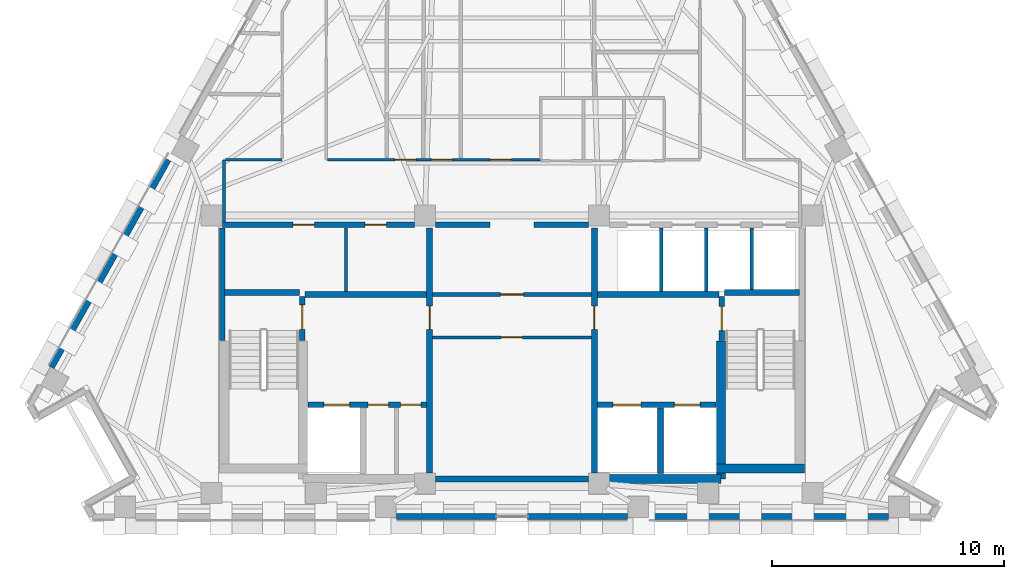
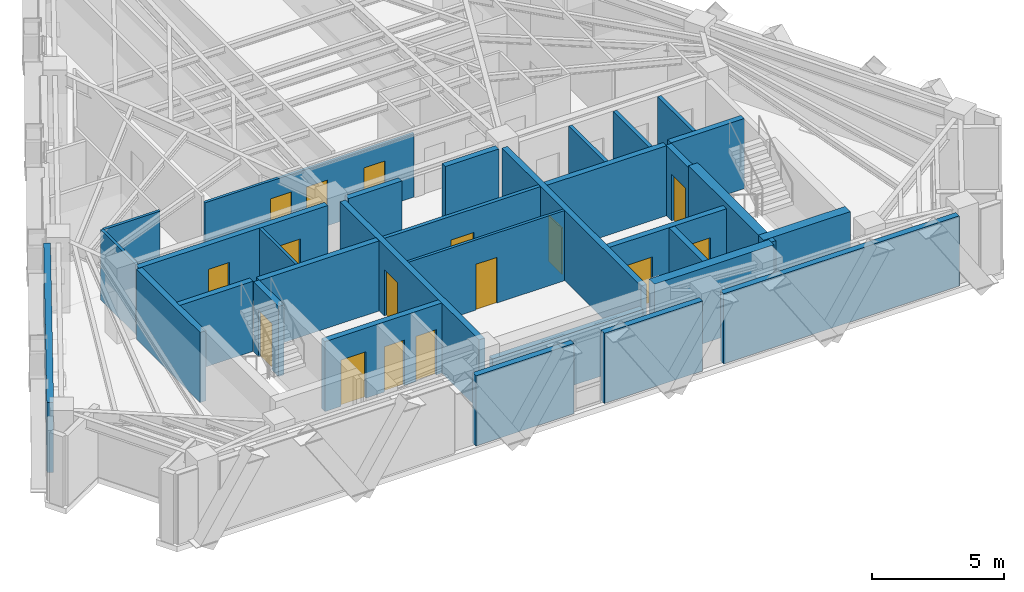
# One storey, part 7 of 12: 32 walls, 16 doors, 16 openings.
"""IFC4 building model written with IfcOpenShell, lengths in metres."""

from ifc_helpers import new_model, si_unit, direction, frame, frame_2d, origin, place, context, subcontext, project, spatial, rectangle, extrude, material, layer, layer_set, type_object, element, fill, save


model = new_model("IFC4")

# Units and contexts
model_context = context("Model", 3, precision=1e-05, world=origin(), true_north=direction((0.0, 1.0)))
body_context = subcontext(model_context, "Body", "Model", "MODEL_VIEW")
ifc_project = project(units=[si_unit("LENGTHUNIT", "METRE"), si_unit("AREAUNIT", "SQUARE_METRE"), si_unit("VOLUMEUNIT", "CUBIC_METRE"), si_unit("PLANEANGLEUNIT", "RADIAN"), si_unit("MASSUNIT", "GRAM", prefix="KILO")], contexts=[model_context])

# Site, building, storey
site_placement = place(None, origin())
site = spatial("IfcSite", under=ifc_project, at=site_placement, CompositionType="ELEMENT")
building_placement = place(site_placement, origin())
building = spatial("IfcBuilding", under=site, at=building_placement, Name="Quenlor Broadcast Tower", CompositionType="ELEMENT")
storey_placement = place(building_placement, frame((0.0, 0.0, 190.39990234375)))
storey = spatial("IfcBuildingStorey", under=building, at=storey_placement, Name="L52", CompositionType="ELEMENT", Elevation=190.39990234375)

# Walls
ifc_material_1 = material(Name="Concrete C50/60", Category="concrete")
ifc_layer_1 = layer(ifc_material_1, 0.39990234375)
ifc_layer_set_1 = layer_set([ifc_layer_1], Name="Core Concrete C50/60 Shear Wall 400")
wall_type_1 = type_object("IfcWallType", Name="Core Concrete C50/60 Shear Wall 400", PredefinedType="SHEAR", material=ifc_layer_set_1)
wall_1_placement = place(storey_placement, frame((3.75, -16.14990234375, 0.0), z_axis=(0.0, 0.0, 1.0), x_axis=(1.0, 0.0, 0.0)))
element("IfcWall", 1, at=wall_1_placement, inside=storey, type_object=wall_type_1, Name="L52 Core Shear Wall WS-E1", PredefinedType="SHEAR", context=body_context, shape_type="SweptSolid", body=[
    extrude(rectangle(XDim=5.25, YDim=0.39990234375, at=frame_2d((2.625, 0.0))), origin(), (0.0, 0.0, 1.0), 3.5),
])
wall_2_placement = place(storey_placement, frame((8.800048828125, -15.699951171875, 0.0), z_axis=(0.0, 0.0, 1.0), x_axis=(1.0, 0.0, 0.0)))
element("IfcWall", 2, at=wall_2_placement, inside=storey, type_object=wall_type_1, Name="L52 Core Shear Wall WS-E2", PredefinedType="SHEAR", context=body_context, shape_type="SweptSolid", body=[
    extrude(rectangle(XDim=3.800048828125, YDim=0.39990234375, at=frame_2d((1.89990234375, 0.0))), origin(), (0.0, 0.0, 1.0), 3.5),
])
wall_3_placement = place(storey_placement, frame((9.0, -16.14990234375, 0.0), z_axis=(0.0, 0.0, 1.0), x_axis=(0.0, 1.0, 0.0)))
element("IfcWall", 3, at=wall_3_placement, inside=storey, type_object=wall_type_1, Name="L52 Core Shear Wall WI-E", PredefinedType="SHEAR", context=body_context, shape_type="SweptSolid", body=[
    extrude(rectangle(XDim=5.949951171875, YDim=0.39990234375, at=frame_2d((2.97509765625, 0.0))), origin(), (0.0, 0.0, 1.0), 3.5),
])

# Wall, opening, door
ifc_material_2 = material(Name="Concrete C40/50", Category="concrete")
ifc_layer_2 = layer(ifc_material_2, 0.25)
ifc_layer_set_2 = layer_set([ifc_layer_2], Name="Fire Rated Concrete C40/50 Core Wall 250")
wall_type_2 = type_object("IfcWallType", Name="Fire Rated Concrete C40/50 Core Wall 250", PredefinedType="PARTITIONING", material=ifc_layer_set_2)
wall_4_placement = place(storey_placement, frame((-9.0400390625, -10.179931640625, 0.0), z_axis=(0.0, 0.0, 1.0), x_axis=(0.0, 1.0, 0.0)))
wall_4 = element("IfcWall", 4, at=wall_4_placement, inside=storey, type_object=wall_type_2, Name="L52 Interior Wall CW-ST1-DR", PredefinedType="PARTITIONING", context=body_context, shape_type="SweptSolid", body=[
    extrude(rectangle(XDim=1.89990234375, YDim=0.25, at=frame_2d((0.949951171875, 0.0))), origin(), (0.0, 0.0, 1.0), 3.25),
])
opening_1_placement = place(wall_4_placement, frame((0.47998046875, 0.0, 0.0)))
opening_1 = element("IfcOpeningElement", 5, at=opening_1_placement, cuts=wall_4, Name="Opening FD-1", PredefinedType="OPENING", context=body_context, shape_type="SweptSolid", body=[
    extrude(rectangle(XDim=1.050048828125, YDim=2.14990234375, at=frame_2d((0.52490234375, 1.074951171875))), frame((0.0, 0.135009765625, 0.0), z_axis=(0.0, -1.0, 0.0), x_axis=(1.0, 0.0, 0.0)), (0.0, 0.0, 1.0), 0.27001953125),
])
ifc_material_3 = material(Name="Fire Rated Steel Door Leaf", Category="steel")
door_type_1 = type_object("IfcDoorType", Name="Fire Isolated Stair Door 1050x2150", OperationType="NOTDEFINED", PredefinedType="DOOR", material=ifc_material_3)
door_1_placement = place(opening_1_placement, origin())
door_1 = element("IfcDoor", 6, at=door_1_placement, inside=storey, type_object=door_type_1, Name="L52 Door DR-ST1", OperationType="SINGLE_SWING_LEFT", OverallHeight=2.14990234375, OverallWidth=1.050048828125, PredefinedType="DOOR", context=body_context, shape_type="SweptSolid", body=[
    extrude(rectangle(XDim=1.050048828125, YDim=2.14990234375, at=frame_2d((0.52490234375, 1.074951171875))), frame((0.0, 0.02490234375, 0.0), z_axis=(0.0, -1.0, 0.0), x_axis=(1.0, 0.0, 0.0)), (0.0, 0.0, 1.0), 0.050048828125),
])
fill(opening_1, door_1)

wall_5_placement = place(storey_placement, frame((9.0400390625, -10.179931640625, 0.0), z_axis=(0.0, 0.0, 1.0), x_axis=(0.0, 1.0, 0.0)))
wall_5 = element("IfcWall", 7, at=wall_5_placement, inside=storey, type_object=wall_type_2, Name="L52 Interior Wall CW-ST2-DR", PredefinedType="PARTITIONING", context=body_context, shape_type="SweptSolid", body=[
    extrude(rectangle(XDim=1.89990234375, YDim=0.25, at=frame_2d((0.949951171875, 0.0))), origin(), (0.0, 0.0, 1.0), 3.25),
])
opening_2_placement = place(wall_5_placement, frame((0.419921875, 0.0, 0.0)))
opening_2 = element("IfcOpeningElement", 8, at=opening_2_placement, cuts=wall_5, Name="Opening FD-1", PredefinedType="OPENING", context=body_context, shape_type="SweptSolid", body=[
    extrude(rectangle(XDim=1.050048828125, YDim=2.14990234375, at=frame_2d((0.52490234375, 1.074951171875))), frame((0.0, 0.135009765625, 0.0), z_axis=(0.0, -1.0, 0.0), x_axis=(1.0, 0.0, 0.0)), (0.0, 0.0, 1.0), 0.27001953125),
])
door_2_placement = place(opening_2_placement, origin())
door_2 = element("IfcDoor", 9, at=door_2_placement, inside=storey, type_object=door_type_1, Name="L52 Door DR-ST2", OperationType="SINGLE_SWING_RIGHT", OverallHeight=2.14990234375, OverallWidth=1.050048828125, PredefinedType="DOOR", context=body_context, shape_type="SweptSolid", body=[
    extrude(rectangle(XDim=1.050048828125, YDim=2.14990234375, at=frame_2d((0.52490234375, 1.074951171875))), frame((0.0, 0.02490234375, 0.0), z_axis=(0.0, -1.0, 0.0), x_axis=(1.0, 0.0, 0.0)), (0.0, 0.0, 1.0), 0.050048828125),
])
fill(opening_2, door_2)

# Walls
for number, where, z_axis, x_axis, name in (
    (10, (-12.3798828125, -8.1201171875, 0.0), (0.0, 0.0, 1.0), (1.0, 0.0, 0.0), "L52 Interior Wall CW-ST1-N"),
    (11, (9.159912109375, -8.1201171875, 0.0), (0.0, 0.0, 1.0), (1.0, 0.0, 0.0), "L52 Interior Wall CW-ST2-N"),
):
    element("IfcWall", number, at=place(storey_placement, frame(where, z_axis=z_axis, x_axis=x_axis)), inside=storey, type_object=wall_type_2, Name=name, PredefinedType="PARTITIONING", context=body_context, shape_type="SweptSolid", body=[
        extrude(rectangle(XDim=3.219970703125, YDim=0.25, at=frame_2d((1.60986328125, 0.0))), origin(), (0.0, 0.0, 1.0), 3.25),
    ])
wall_6_placement = place(storey_placement, frame((-12.47998046875, -10.179931640625, 0.0), z_axis=(0.0, 0.0, 1.0), x_axis=(0.0, 1.0, 0.0)))
element("IfcWall", 12, at=wall_6_placement, inside=storey, type_object=wall_type_2, Name="L52 Interior Wall CW-ST1-W2", PredefinedType="PARTITIONING", context=body_context, shape_type="SweptSolid", body=[
    extrude(rectangle(XDim=4.83984375, YDim=0.25, at=frame_2d((2.419921875, 0.0))), origin(), (0.0, 0.0, 1.0), 3.25),
])

# Wall, openings, doors
wall_7_placement = place(storey_placement, frame((-8.798095703125, -12.949951171875, 0.0), z_axis=(0.0, 0.0, 1.0), x_axis=(1.0, 0.0, 0.0)))
wall_7 = element("IfcWall", 13, at=wall_7_placement, inside=storey, type_object=wall_type_2, Name="L52 Interior Wall CW-FFW-S", PredefinedType="PARTITIONING", context=body_context, shape_type="SweptSolid", body=[
    extrude(rectangle(XDim=5.1181640625, YDim=0.25, at=frame_2d((2.55908203125, 0.0))), origin(), (0.0, 0.0, 1.0), 3.25),
])
opening_3_placement = place(wall_7_placement, frame((0.697998046875, 0.0, 0.0)))
opening_3 = element("IfcOpeningElement", 14, at=opening_3_placement, cuts=wall_7, Name="Opening LD-FFL-1", PredefinedType="OPENING", context=body_context, shape_type="SweptSolid", body=[
    extrude(rectangle(XDim=1.10009765625, YDim=2.14990234375, at=frame_2d((0.550048828125, 1.074951171875))), frame((0.0, 0.135009765625, 0.0), z_axis=(0.0, -1.0, 0.0), x_axis=(1.0, 0.0, 0.0)), (0.0, 0.0, 1.0), 0.27001953125),
])
opening_4_placement = place(wall_7_placement, frame((2.597900390625, 0.0, 0.0)))
opening_4 = element("IfcOpeningElement", 15, at=opening_4_placement, cuts=wall_7, Name="Opening TD-1", PredefinedType="OPENING", context=body_context, shape_type="SweptSolid", body=[
    extrude(rectangle(XDim=0.8798828125, YDim=2.10009765625, at=frame_2d((0.43994140625, 1.050048828125))), frame((0.0, 0.135009765625, 0.0), z_axis=(0.0, -1.0, 0.0), x_axis=(1.0, 0.0, 0.0)), (0.0, 0.0, 1.0), 0.27001953125),
])
opening_5_placement = place(wall_7_placement, frame((3.998046875, 0.0, 0.0)))
opening_5 = element("IfcOpeningElement", 16, at=opening_5_placement, cuts=wall_7, Name="Opening TD-1", PredefinedType="OPENING", context=body_context, shape_type="SweptSolid", body=[
    extrude(rectangle(XDim=0.8798828125, YDim=2.10009765625, at=frame_2d((0.43994140625, 1.050048828125))), frame((0.0, 0.135009765625, 0.0), z_axis=(0.0, -1.0, 0.0), x_axis=(1.0, 0.0, 0.0)), (0.0, 0.0, 1.0), 0.27001953125),
])
ifc_material_4 = material(Name="Brushed Stainless Steel", Category="steel")
door_type_2 = type_object("IfcDoorType", Name="Emergency Lift Sliding Landing Door 1100x2150", OperationType="NOTDEFINED", PredefinedType="DOOR", material=ifc_material_4)
door_3_placement = place(opening_3_placement, origin())
door_3 = element("IfcDoor", 17, at=door_3_placement, inside=storey, type_object=door_type_2, Name="L52 Door LD-FFL-1", OperationType="SLIDING_TO_LEFT", OverallHeight=2.14990234375, OverallWidth=1.10009765625, PredefinedType="DOOR", context=body_context, shape_type="SweptSolid", body=[
    extrude(rectangle(XDim=1.10009765625, YDim=2.14990234375, at=frame_2d((0.550048828125, 1.074951171875))), frame((0.0, 0.02490234375, 0.0), z_axis=(0.0, -1.0, 0.0), x_axis=(1.0, 0.0, 0.0)), (0.0, 0.0, 1.0), 0.050048828125),
])
fill(opening_3, door_3)
ifc_material_5 = material(Name="Fire Rated Steel Access Panel", Category="steel")
door_type_3 = type_object("IfcDoorType", Name="Riser Shaft Rated Access Trapdoor 880x2100", OperationType="NOTDEFINED", PredefinedType="TRAPDOOR", material=ifc_material_5)
door_4_placement = place(opening_4_placement, origin())
door_4 = element("IfcDoor", 18, at=door_4_placement, inside=storey, type_object=door_type_3, Name="L52 Door DR-ELR", OperationType="SINGLE_SWING_LEFT", OverallHeight=2.10009765625, OverallWidth=0.8798828125, PredefinedType="TRAPDOOR", context=body_context, shape_type="SweptSolid", body=[
    extrude(rectangle(XDim=0.8798828125, YDim=2.10009765625, at=frame_2d((0.43994140625, 1.050048828125))), frame((0.0, 0.02490234375, 0.0), z_axis=(0.0, -1.0, 0.0), x_axis=(1.0, 0.0, 0.0)), (0.0, 0.0, 1.0), 0.050048828125),
])
fill(opening_4, door_4)
door_5_placement = place(opening_5_placement, origin())
door_5 = element("IfcDoor", 19, at=door_5_placement, inside=storey, type_object=door_type_3, Name="L52 Door DR-CMR", OperationType="SINGLE_SWING_RIGHT", OverallHeight=2.10009765625, OverallWidth=0.8798828125, PredefinedType="TRAPDOOR", context=body_context, shape_type="SweptSolid", body=[
    extrude(rectangle(XDim=0.8798828125, YDim=2.10009765625, at=frame_2d((0.43994140625, 1.050048828125))), frame((0.0, 0.02490234375, 0.0), z_axis=(0.0, -1.0, 0.0), x_axis=(1.0, 0.0, 0.0)), (0.0, 0.0, 1.0), 0.050048828125),
])
fill(opening_5, door_5)

wall_8_placement = place(storey_placement, frame((3.679931640625, -12.949951171875, 0.0), z_axis=(0.0, 0.0, 1.0), x_axis=(1.0, 0.0, 0.0)))
wall_8 = element("IfcWall", 20, at=wall_8_placement, inside=storey, type_object=wall_type_2, Name="L52 Interior Wall CW-FFE-S", PredefinedType="PARTITIONING", context=body_context, shape_type="SweptSolid", body=[
    extrude(rectangle(XDim=5.1181640625, YDim=0.25, at=frame_2d((2.55908203125, 0.0))), origin(), (0.0, 0.0, 1.0), 3.25),
])
opening_6_placement = place(wall_8_placement, frame((3.320068359375, 0.0, 0.0)))
opening_6 = element("IfcOpeningElement", 21, at=opening_6_placement, cuts=wall_8, Name="Opening LD-FFL-2", PredefinedType="OPENING", context=body_context, shape_type="SweptSolid", body=[
    extrude(rectangle(XDim=1.10009765625, YDim=2.14990234375, at=frame_2d((0.550048828125, 1.074951171875))), frame((0.0, 0.135009765625, 0.0), z_axis=(0.0, -1.0, 0.0), x_axis=(1.0, 0.0, 0.0)), (0.0, 0.0, 1.0), 0.27001953125),
])
opening_7_placement = place(wall_8_placement, frame((0.669921875, 0.0, 0.0)))
opening_7 = element("IfcOpeningElement", 22, at=opening_7_placement, cuts=wall_8, Name="Opening LD-SVL-1", PredefinedType="OPENING", context=body_context, shape_type="SweptSolid", body=[
    extrude(rectangle(XDim=1.199951171875, YDim=2.14990234375, at=frame_2d((0.60009765625, 1.074951171875))), frame((0.0, 0.135009765625, 0.0), z_axis=(0.0, -1.0, 0.0), x_axis=(1.0, 0.0, 0.0)), (0.0, 0.0, 1.0), 0.27001953125),
])
door_6_placement = place(opening_6_placement, origin())
door_6 = element("IfcDoor", 23, at=door_6_placement, inside=storey, type_object=door_type_2, Name="L52 Door LD-FFL-2", OperationType="SLIDING_TO_RIGHT", OverallHeight=2.14990234375, OverallWidth=1.10009765625, PredefinedType="DOOR", context=body_context, shape_type="SweptSolid", body=[
    extrude(rectangle(XDim=1.10009765625, YDim=2.14990234375, at=frame_2d((0.550048828125, 1.074951171875))), frame((0.0, 0.02490234375, 0.0), z_axis=(0.0, -1.0, 0.0), x_axis=(1.0, 0.0, 0.0)), (0.0, 0.0, 1.0), 0.050048828125),
])
fill(opening_6, door_6)
ifc_material_6 = material(Name="Brushed Stainless Steel", Category="steel")
door_type_4 = type_object("IfcDoorType", Name="Goods Lift Sliding Landing Door 1200x2150", OperationType="NOTDEFINED", PredefinedType="DOOR", material=ifc_material_6)
door_7_placement = place(opening_7_placement, origin())
door_7 = element("IfcDoor", 24, at=door_7_placement, inside=storey, type_object=door_type_4, Name="L52 Door LD-SVL-1", OperationType="SLIDING_TO_LEFT", OverallHeight=2.14990234375, OverallWidth=1.199951171875, PredefinedType="DOOR", context=body_context, shape_type="SweptSolid", body=[
    extrude(rectangle(XDim=1.199951171875, YDim=2.14990234375, at=frame_2d((0.60009765625, 1.074951171875))), frame((0.0, 0.02490234375, 0.0), z_axis=(0.0, -1.0, 0.0), x_axis=(1.0, 0.0, 0.0)), (0.0, 0.0, 1.0), 0.050048828125),
])
fill(opening_7, door_7)

# Walls
wall_9_placement = place(storey_placement, frame((6.39990234375, -15.919921875, 0.0), z_axis=(0.0, 0.0, 1.0), x_axis=(0.0, 1.0, 0.0)))
element("IfcWall", 25, at=wall_9_placement, inside=storey, type_object=wall_type_2, Name="L52 Interior Wall CW-SV1-E", PredefinedType="PARTITIONING", context=body_context, shape_type="SweptSolid", body=[
    extrude(rectangle(XDim=2.829833984375, YDim=0.25, at=frame_2d((1.4150390625, 0.0))), origin(), (0.0, 0.0, 1.0), 3.25),
])
for number, where, z_axis, x_axis, name in (
    (26, (-8.919921875, -8.199951171875, 0.0), (0.0, 0.0, 1.0), (1.0, 0.0, 0.0), "L52 Interior Wall CW-FFW-N"),
    (27, (3.679931640625, -8.199951171875, 0.0), (0.0, 0.0, 1.0), (1.0, 0.0, 0.0), "L52 Interior Wall CW-FFE-N"),
):
    element("IfcWall", number, at=place(storey_placement, frame(where, z_axis=z_axis, x_axis=x_axis)), inside=storey, type_object=wall_type_2, Name=name, PredefinedType="PARTITIONING", context=body_context, shape_type="SweptSolid", body=[
        extrude(rectangle(XDim=5.239990234375, YDim=0.25, at=frame_2d((2.6201171875, 0.0))), origin(), (0.0, 0.0, 1.0), 3.25),
    ])

# Wall, opening, door
wall_10_placement = place(storey_placement, frame((-3.550048828125, -15.89794921875, 0.0), z_axis=(0.0, 0.0, 1.0), x_axis=(0.0, 1.0, 0.0)))
wall_10 = element("IfcWall", 28, at=wall_10_placement, inside=storey, type_object=wall_type_2, Name="L52 Interior Wall CW-FFW-E", PredefinedType="PARTITIONING", context=body_context, shape_type="SweptSolid", body=[
    extrude(rectangle(XDim=10.557861328125, YDim=0.25, at=frame_2d((5.27880859375, 0.0))), origin(), (0.0, 0.0, 1.0), 3.25),
])
opening_8_placement = place(wall_10_placement, frame((6.197998046875, 0.0, 0.0)))
opening_8 = element("IfcOpeningElement", 29, at=opening_8_placement, cuts=wall_10, Name="Opening FD-2", PredefinedType="OPENING", context=body_context, shape_type="SweptSolid", body=[
    extrude(rectangle(XDim=1.0, YDim=2.14990234375, at=frame_2d((0.5, 1.074951171875))), frame((0.0, 0.135009765625, 0.0), z_axis=(0.0, -1.0, 0.0), x_axis=(1.0, 0.0, 0.0)), (0.0, 0.0, 1.0), 0.27001953125),
])
ifc_material_7 = material(Name="Fire Rated Glazed Steel Door", Category="steel")
door_type_5 = type_object("IfcDoorType", Name="Firefighting Lobby Smoke Door 1000x2150", OperationType="NOTDEFINED", PredefinedType="DOOR", material=ifc_material_7)
door_8_placement = place(opening_8_placement, origin())
door_8 = element("IfcDoor", 30, at=door_8_placement, inside=storey, type_object=door_type_5, Name="L52 Door DR-FFLW", OperationType="SINGLE_SWING_RIGHT", OverallHeight=2.14990234375, OverallWidth=1.0, PredefinedType="DOOR", context=body_context, shape_type="SweptSolid", body=[
    extrude(rectangle(XDim=1.0, YDim=2.14990234375, at=frame_2d((0.5, 1.074951171875))), frame((0.0, 0.02490234375, 0.0), z_axis=(0.0, -1.0, 0.0), x_axis=(1.0, 0.0, 0.0)), (0.0, 0.0, 1.0), 0.050048828125),
])
fill(opening_8, door_8)

wall_11_placement = place(storey_placement, frame((3.550048828125, -15.89794921875, 0.0), z_axis=(0.0, 0.0, 1.0), x_axis=(0.0, 1.0, 0.0)))
wall_11 = element("IfcWall", 31, at=wall_11_placement, inside=storey, type_object=wall_type_2, Name="L52 Interior Wall CW-FFE-W", PredefinedType="PARTITIONING", context=body_context, shape_type="SweptSolid", body=[
    extrude(rectangle(XDim=10.557861328125, YDim=0.25, at=frame_2d((5.27880859375, 0.0))), origin(), (0.0, 0.0, 1.0), 3.25),
])
opening_9_placement = place(wall_11_placement, frame((6.197998046875, 0.0, 0.0)))
opening_9 = element("IfcOpeningElement", 32, at=opening_9_placement, cuts=wall_11, Name="Opening FD-2", PredefinedType="OPENING", context=body_context, shape_type="SweptSolid", body=[
    extrude(rectangle(XDim=1.0, YDim=2.14990234375, at=frame_2d((0.5, 1.074951171875))), frame((0.0, 0.135009765625, 0.0), z_axis=(0.0, -1.0, 0.0), x_axis=(1.0, 0.0, 0.0)), (0.0, 0.0, 1.0), 0.27001953125),
])
door_9_placement = place(opening_9_placement, origin())
door_9 = element("IfcDoor", 33, at=door_9_placement, inside=storey, type_object=door_type_5, Name="L52 Door DR-FFLE", OperationType="SINGLE_SWING_LEFT", OverallHeight=2.14990234375, OverallWidth=1.0, PredefinedType="DOOR", context=body_context, shape_type="SweptSolid", body=[
    extrude(rectangle(XDim=1.0, YDim=2.14990234375, at=frame_2d((0.5, 1.074951171875))), frame((0.0, 0.02490234375, 0.0), z_axis=(0.0, -1.0, 0.0), x_axis=(1.0, 0.0, 0.0)), (0.0, 0.0, 1.0), 0.050048828125),
])
fill(opening_9, door_9)

# Wall, openings, doors
wall_12_placement = place(storey_placement, frame((-12.47998046875, -5.199951171875, 0.0), z_axis=(0.0, 0.0, 1.0), x_axis=(1.0, 0.0, 0.0)))
wall_12 = element("IfcWall", 34, at=wall_12_placement, inside=storey, type_object=wall_type_2, Name="L52 Interior Wall CW-N-W", PredefinedType="PARTITIONING", context=body_context, shape_type="SweptSolid", body=[
    extrude(rectangle(XDim=8.278076171875, YDim=0.25, at=frame_2d((4.13916015625, 0.0))), origin(), (0.0, 0.0, 1.0), 3.25),
])
opening_10_placement = place(wall_12_placement, frame((3.050048828125, 0.0, 0.0)))
opening_10 = element("IfcOpeningElement", 35, at=opening_10_placement, cuts=wall_12, Name="Opening ID-1", PredefinedType="OPENING", context=body_context, shape_type="SweptSolid", body=[
    extrude(rectangle(XDim=0.919921875, YDim=2.1201171875, at=frame_2d((0.4599609375, 1.06005859375))), frame((0.0, 0.135009765625, 0.0), z_axis=(0.0, -1.0, 0.0), x_axis=(1.0, 0.0, 0.0)), (0.0, 0.0, 1.0), 0.27001953125),
])
opening_11_placement = place(wall_12_placement, frame((6.14990234375, 0.0, 0.0)))
opening_11 = element("IfcOpeningElement", 36, at=opening_11_placement, cuts=wall_12, Name="Opening ID-1", PredefinedType="OPENING", context=body_context, shape_type="SweptSolid", body=[
    extrude(rectangle(XDim=0.919921875, YDim=2.1201171875, at=frame_2d((0.4599609375, 1.06005859375))), frame((0.0, 0.135009765625, 0.0), z_axis=(0.0, -1.0, 0.0), x_axis=(1.0, 0.0, 0.0)), (0.0, 0.0, 1.0), 0.27001953125),
])
ifc_material_8 = material(Name="Solid Core Timber Oak", Category="wood")
door_type_6 = type_object("IfcDoorType", Name="Single Leaf Timber Office Door 920x2120", OperationType="NOTDEFINED", PredefinedType="DOOR", material=ifc_material_8)
door_10_placement = place(opening_10_placement, origin())
door_10 = element("IfcDoor", 37, at=door_10_placement, inside=storey, type_object=door_type_6, Name="L52 Door DR-RCL1", OperationType="SINGLE_SWING_LEFT", OverallHeight=2.1201171875, OverallWidth=0.919921875, PredefinedType="DOOR", context=body_context, shape_type="SweptSolid", body=[
    extrude(rectangle(XDim=0.919921875, YDim=2.1201171875, at=frame_2d((0.4599609375, 1.06005859375))), frame((0.0, 0.02490234375, 0.0), z_axis=(0.0, -1.0, 0.0), x_axis=(1.0, 0.0, 0.0)), (0.0, 0.0, 1.0), 0.050048828125),
])
fill(opening_10, door_10)
door_11_placement = place(opening_11_placement, origin())
door_11 = element("IfcDoor", 38, at=door_11_placement, inside=storey, type_object=door_type_6, Name="L52 Door DR-RCL2", OperationType="SINGLE_SWING_RIGHT", OverallHeight=2.1201171875, OverallWidth=0.919921875, PredefinedType="DOOR", context=body_context, shape_type="SweptSolid", body=[
    extrude(rectangle(XDim=0.919921875, YDim=2.1201171875, at=frame_2d((0.4599609375, 1.06005859375))), frame((0.0, 0.02490234375, 0.0), z_axis=(0.0, -1.0, 0.0), x_axis=(1.0, 0.0, 0.0)), (0.0, 0.0, 1.0), 0.050048828125),
])
fill(opening_11, door_11)

# Walls
for number, where, z_axis, x_axis, name in (
    (39, (-3.298095703125, -5.199951171875, 0.0), (0.0, 0.0, 1.0), (1.0, 0.0, 0.0), "L52 Interior Wall CW-N-M1"),
    (40, (0.949951171875, -5.199951171875, 0.0), (0.0, 0.0, 1.0), (1.0, 0.0, 0.0), "L52 Interior Wall CW-N-M2"),
):
    element("IfcWall", number, at=place(storey_placement, frame(where, z_axis=z_axis, x_axis=x_axis)), inside=storey, type_object=wall_type_2, Name=name, PredefinedType="PARTITIONING", context=body_context, shape_type="SweptSolid", body=[
        extrude(rectangle(XDim=2.34814453125, YDim=0.25, at=frame_2d((1.174072265625, 0.0))), origin(), (0.0, 0.0, 1.0), 3.25),
    ])
wall_13_placement = place(storey_placement, frame((-3.298095703125, -16.14990234375, 0.0), z_axis=(0.0, 0.0, 1.0), x_axis=(1.0, 0.0, 0.0)))
element("IfcWall", 41, at=wall_13_placement, inside=storey, type_object=wall_type_2, Name="L52 Interior Wall CW-MS-S", PredefinedType="PARTITIONING", context=body_context, shape_type="SweptSolid", body=[
    extrude(rectangle(XDim=6.59619140625, YDim=0.25, at=frame_2d((3.298095703125, 0.0))), origin(), (0.0, 0.0, 1.0), 2.4501953125),
])
ifc_material_9 = material(Name="Gypsum Fireboard Partition", Category="other")
ifc_layer_3 = layer(ifc_material_9, 0.159912109375)
ifc_layer_set_3 = layer_set([ifc_layer_3], Name="Fire Rated Shaft and Corridor Partition 160")
wall_type_3 = type_object("IfcWallType", Name="Fire Rated Shaft and Corridor Partition 160", PredefinedType="PARTITIONING", material=ifc_layer_set_3)
for number, where, z_axis, x_axis, name in (
    (42, (6.425048828125, -8.072998046875, 0.0), (0.0, 0.0, 1.0), (0.0, 1.0, 0.0), "L52 Interior Wall CW-PLH-D1"),
    (43, (8.375, -8.072998046875, 0.0), (0.0, 0.0, 1.0), (0.0, 1.0, 0.0), "L52 Interior Wall CW-PLH-D2"),
):
    element("IfcWall", number, at=place(storey_placement, frame(where, z_axis=z_axis, x_axis=x_axis)), inside=storey, type_object=wall_type_3, Name=name, PredefinedType="PARTITIONING", context=body_context, shape_type="SweptSolid", body=[
        extrude(rectangle(XDim=2.73291015625, YDim=0.159912109375, at=frame_2d((1.366455078125, 0.0))), origin(), (0.0, 0.0, 1.0), 3.25),
    ])
wall_14_placement = place(storey_placement, frame((10.324951171875, -7.992919921875, 0.0), z_axis=(0.0, 0.0, 1.0), x_axis=(0.0, 1.0, 0.0)))
element("IfcWall", 44, at=wall_14_placement, inside=storey, type_object=wall_type_3, Name="L52 Interior Wall CW-PLH-D3", PredefinedType="PARTITIONING", context=body_context, shape_type="SweptSolid", body=[
    extrude(rectangle(XDim=2.65283203125, YDim=0.159912109375, at=frame_2d((1.326416015625, 0.0))), origin(), (0.0, 0.0, 1.0), 3.25),
])

# Wall, opening, door
wall_15_placement = place(storey_placement, frame((-3.419921875, -8.199951171875, 0.0), z_axis=(0.0, 0.0, 1.0), x_axis=(1.0, 0.0, 0.0)))
wall_15 = element("IfcWall", 45, at=wall_15_placement, inside=storey, type_object=wall_type_3, Name="L52 Interior Wall CW-M-BACK", PredefinedType="PARTITIONING", context=body_context, shape_type="SweptSolid", body=[
    extrude(rectangle(XDim=6.83984375, YDim=0.159912109375, at=frame_2d((3.419921875, 0.0))), origin(), (0.0, 0.0, 1.0), 3.25),
])
opening_12_placement = place(wall_15_placement, frame((2.919921875, 0.0, 0.0)))
opening_12 = element("IfcOpeningElement", 46, at=opening_12_placement, cuts=wall_15, Name="Opening FD-2", PredefinedType="OPENING", context=body_context, shape_type="SweptSolid", body=[
    extrude(rectangle(XDim=1.0, YDim=2.14990234375, at=frame_2d((0.5, 1.074951171875))), frame((0.0, 0.08984375, 0.0), z_axis=(0.0, -1.0, 0.0), x_axis=(1.0, 0.0, 0.0)), (0.0, 0.0, 1.0), 0.179931640625),
])
door_12_placement = place(opening_12_placement, origin())
door_12 = element("IfcDoor", 47, at=door_12_placement, inside=storey, type_object=door_type_5, Name="L52 Door DR-CCRP", OperationType="SINGLE_SWING_LEFT", OverallHeight=2.14990234375, OverallWidth=1.0, PredefinedType="DOOR", context=body_context, shape_type="SweptSolid", body=[
    extrude(rectangle(XDim=1.0, YDim=2.14990234375, at=frame_2d((0.5, 1.074951171875))), frame((0.0, 0.02490234375, 0.0), z_axis=(0.0, -1.0, 0.0), x_axis=(1.0, 0.0, 0.0)), (0.0, 0.0, 1.0), 0.050048828125),
])
fill(opening_12, door_12)

# Wall
ifc_material_10 = material(Name="Gypsum Plasterboard Partition", Category="other")
ifc_layer_4 = layer(ifc_material_10, 0.1201171875)
ifc_layer_set_4 = layer_set([ifc_layer_4], Name="Standard Office Partition 120")
wall_type_4 = type_object("IfcWallType", Name="Standard Office Partition 120", PredefinedType="PARTITIONING", material=ifc_layer_set_4)
wall_16_placement = place(storey_placement, frame((-7.14990234375, -8.072998046875, 0.0), z_axis=(0.0, 0.0, 1.0), x_axis=(0.0, 1.0, 0.0)))
element("IfcWall", 48, at=wall_16_placement, inside=storey, type_object=wall_type_4, Name="L52 Interior Wall CW-RCL-MID", PredefinedType="PARTITIONING", context=body_context, shape_type="SweptSolid", body=[
    extrude(rectangle(XDim=2.73291015625, YDim=0.1201171875, at=frame_2d((1.366455078125, 0.0))), origin(), (0.0, 0.0, 1.0), 3.25),
])

# Wall, opening, door
wall_17_placement = place(storey_placement, frame((-3.419921875, -10.050048828125, 0.0), z_axis=(0.0, 0.0, 1.0), x_axis=(1.0, 0.0, 0.0)))
wall_17 = element("IfcWall", 49, at=wall_17_placement, inside=storey, type_object=wall_type_4, Name="L52 Interior Wall CW-MS-N", PredefinedType="PARTITIONING", context=body_context, shape_type="SweptSolid", body=[
    extrude(rectangle(XDim=6.83984375, YDim=0.1201171875, at=frame_2d((3.419921875, 0.0))), origin(), (0.0, 0.0, 1.0), 3.25),
])
opening_13_placement = place(wall_17_placement, frame((2.949951171875, 0.0, 0.0)))
opening_13 = element("IfcOpeningElement", 50, at=opening_13_placement, cuts=wall_17, Name="Opening ID-1", PredefinedType="OPENING", context=body_context, shape_type="SweptSolid", body=[
    extrude(rectangle(XDim=0.919921875, YDim=2.1201171875, at=frame_2d((0.4599609375, 1.06005859375))), frame((0.0, 0.070068359375, 0.0), z_axis=(0.0, -1.0, 0.0), x_axis=(1.0, 0.0, 0.0)), (0.0, 0.0, 1.0), 0.14013671875),
])
door_13_placement = place(opening_13_placement, origin())
door_13 = element("IfcDoor", 51, at=door_13_placement, inside=storey, type_object=door_type_6, Name="L52 Door DR-RCMA", OperationType="SINGLE_SWING_LEFT", OverallHeight=2.1201171875, OverallWidth=0.919921875, PredefinedType="DOOR", context=body_context, shape_type="SweptSolid", body=[
    extrude(rectangle(XDim=0.919921875, YDim=2.1201171875, at=frame_2d((0.4599609375, 1.06005859375))), frame((0.0, 0.02490234375, 0.0), z_axis=(0.0, -1.0, 0.0), x_axis=(1.0, 0.0, 0.0)), (0.0, 0.0, 1.0), 0.050048828125),
])
fill(opening_13, door_13)

# Walls
wall_18_placement = place(storey_placement, frame((-12.409912109375, -5.072998046875, 0.0), z_axis=(0.0, 0.0, 1.0), x_axis=(0.0, 1.0, 0.0)))
element("IfcWall", 52, at=wall_18_placement, inside=storey, type_object=wall_type_4, Name="L52 Interior Wall PW-CR-01", PredefinedType="PARTITIONING", context=body_context, shape_type="SweptSolid", body=[
    extrude(rectangle(XDim=2.673095703125, YDim=0.1201171875, at=frame_2d((1.33642578125, 0.0))), origin(), (0.0, 0.0, 1.0), 3.25),
])
wall_19_placement = place(storey_placement, frame((-12.347900390625, -2.39990234375, 0.0), z_axis=(0.0, 0.0, 1.0), x_axis=(1.0, 0.0, 0.0)))
element("IfcWall", 53, at=wall_19_placement, inside=storey, type_object=wall_type_4, Name="L52 Interior Wall PW-CR-02", PredefinedType="PARTITIONING", context=body_context, shape_type="SweptSolid", body=[
    extrude(rectangle(XDim=2.447998046875, YDim=0.1201171875, at=frame_2d((1.22412109375, 0.0))), origin(), (0.0, 0.0, 1.0), 3.25),
])

# Wall, openings, doors
wall_20_placement = place(storey_placement, frame((-7.93798828125, -2.39990234375, 0.0), z_axis=(0.0, 0.0, 1.0), x_axis=(1.0, 0.0, 0.0)))
wall_20 = element("IfcWall", 54, at=wall_20_placement, inside=storey, type_object=wall_type_4, Name="L52 Interior Wall PW-CR-06", PredefinedType="PARTITIONING", context=body_context, shape_type="SweptSolid", body=[
    extrude(rectangle(XDim=9.176025390625, YDim=0.1201171875, at=frame_2d((4.587890625, 0.0))), origin(), (0.0, 0.0, 1.0), 2.94287109375),
])
opening_14_placement = place(wall_20_placement, frame((4.464111328125, 0.0, 0.0)))
opening_14 = element("IfcOpeningElement", 55, at=opening_14_placement, cuts=wall_20, Name="Opening ID-1", PredefinedType="OPENING", context=body_context, shape_type="SweptSolid", body=[
    extrude(rectangle(XDim=0.919921875, YDim=2.1201171875, at=frame_2d((0.4599609375, 1.06005859375))), frame((0.0, 0.070068359375, 0.0), z_axis=(0.0, -1.0, 0.0), x_axis=(1.0, 0.0, 0.0)), (0.0, 0.0, 1.0), 0.14013671875),
])
opening_15_placement = place(wall_20_placement, frame((6.986083984375, 0.0, 0.0)))
opening_15 = element("IfcOpeningElement", 56, at=opening_15_placement, cuts=wall_20, Name="Opening ID-1", PredefinedType="OPENING", context=body_context, shape_type="SweptSolid", body=[
    extrude(rectangle(XDim=0.919921875, YDim=2.1201171875, at=frame_2d((0.4599609375, 1.06005859375))), frame((0.0, 0.070068359375, 0.0), z_axis=(0.0, -1.0, 0.0), x_axis=(1.0, 0.0, 0.0)), (0.0, 0.0, 1.0), 0.14013671875),
])
opening_16_placement = place(wall_20_placement, frame((2.886962890625, 0.0, 0.0)))
opening_16 = element("IfcOpeningElement", 57, at=opening_16_placement, cuts=wall_20, Name="Opening ID-1", PredefinedType="OPENING", context=body_context, shape_type="SweptSolid", body=[
    extrude(rectangle(XDim=0.919921875, YDim=2.1201171875, at=frame_2d((0.4599609375, 1.06005859375))), frame((0.0, 0.070068359375, 0.0), z_axis=(0.0, -1.0, 0.0), x_axis=(1.0, 0.0, 0.0)), (0.0, 0.0, 1.0), 0.14013671875),
])
door_14_placement = place(opening_14_placement, origin())
door_14 = element("IfcDoor", 58, at=door_14_placement, inside=storey, type_object=door_type_6, Name="L52 Door DR-RM01", OperationType="SINGLE_SWING_LEFT", OverallHeight=2.1201171875, OverallWidth=0.919921875, PredefinedType="DOOR", context=body_context, shape_type="SweptSolid", body=[
    extrude(rectangle(XDim=0.919921875, YDim=2.1201171875, at=frame_2d((0.4599609375, 1.06005859375))), frame((0.0, 0.02490234375, 0.0), z_axis=(0.0, -1.0, 0.0), x_axis=(1.0, 0.0, 0.0)), (0.0, 0.0, 1.0), 0.050048828125),
])
fill(opening_14, door_14)
door_15_placement = place(opening_15_placement, origin())
door_15 = element("IfcDoor", 59, at=door_15_placement, inside=storey, type_object=door_type_6, Name="L52 Door DR-RM02", OperationType="SINGLE_SWING_RIGHT", OverallHeight=2.1201171875, OverallWidth=0.919921875, PredefinedType="DOOR", context=body_context, shape_type="SweptSolid", body=[
    extrude(rectangle(XDim=0.919921875, YDim=2.1201171875, at=frame_2d((0.4599609375, 1.06005859375))), frame((0.0, 0.02490234375, 0.0), z_axis=(0.0, -1.0, 0.0), x_axis=(1.0, 0.0, 0.0)), (0.0, 0.0, 1.0), 0.050048828125),
])
fill(opening_15, door_15)
door_16_placement = place(opening_16_placement, origin())
door_16 = element("IfcDoor", 60, at=door_16_placement, inside=storey, type_object=door_type_6, Name="L52 Door DR-RM04", OperationType="SINGLE_SWING_RIGHT", OverallHeight=2.1201171875, OverallWidth=0.919921875, PredefinedType="DOOR", context=body_context, shape_type="SweptSolid", body=[
    extrude(rectangle(XDim=0.919921875, YDim=2.1201171875, at=frame_2d((0.4599609375, 1.06005859375))), frame((0.0, 0.02490234375, 0.0), z_axis=(0.0, -1.0, 0.0), x_axis=(1.0, 0.0, 0.0)), (0.0, 0.0, 1.0), 0.050048828125),
])
fill(opening_16, door_16)

# Walls
ifc_material_11 = material(Name="Precast concrete C40/50", Category="concrete")
ifc_layer_5 = layer(ifc_material_11, 0.260009765625)
ifc_layer_set_5 = layer_set([ifc_layer_5], Name="Terracotta Precast Concrete C40/50 Upper Wall 260")
wall_type_5 = type_object("IfcWallType", Name="Terracotta Precast Concrete C40/50 Upper Wall 260", PredefinedType="STANDARD", material=ifc_layer_set_5)
wall_21_placement = place(storey_placement, frame((16.220947265625, -17.77490234375, 0.0), z_axis=(0.0, 0.0, 1.0), x_axis=(-1.0, 0.0, 0.0)))
element("IfcWall", 61, at=wall_21_placement, inside=storey, type_object=wall_type_5, Name="L52 Exterior Wall L52-EW-SA", PredefinedType="STANDARD", context=body_context, shape_type="SweptSolid", body=[
    extrude(rectangle(XDim=10.328125, YDim=0.260009765625, at=frame_2d((5.1640625, 0.0))), origin(), (0.0, 0.0, 1.0), 3.25),
])
for number, where, z_axis, x_axis, name in (
    (62, (4.9677734375, -17.77490234375, 0.0), (0.0, 0.0, 1.0), (-1.0, 0.0, 0.0), "L52 Exterior Wall L52-S-SP1"),
    (63, (-0.662353515625, -17.77490234375, 0.0), (0.0, 0.0, 1.0), (-1.0, 0.0, 0.0), "L52 Exterior Wall L52-S-SP2"),
):
    element("IfcWall", number, at=place(storey_placement, frame(where, z_axis=z_axis, x_axis=x_axis)), inside=storey, type_object=wall_type_5, Name=name, PredefinedType="STANDARD", context=body_context, shape_type="SweptSolid", body=[
        extrude(rectangle(XDim=4.305419921875, YDim=0.260009765625, at=frame_2d((2.15283203125, 0.0))), origin(), (0.0, 0.0, 1.0), 3.25),
    ])
wall_22_placement = place(storey_placement, frame((-19.84375, -11.3369140625, 0.0), z_axis=(0.0, 0.0, 1.0), x_axis=(0.490246958575, 0.871583570066, 0.0)))
element("IfcWall", 64, at=wall_22_placement, inside=storey, type_object=wall_type_5, Name="L52 Exterior Wall L52-EW-NWA", PredefinedType="STANDARD", context=body_context, shape_type="SweptSolid", body=[
    extrude(rectangle(XDim=10.551513671875, YDim=0.260009765625, at=frame_2d((5.27587890625, 0.0))), origin(), (0.0, 0.0, 1.0), 3.25),
])

save(model, "model.ifc")
